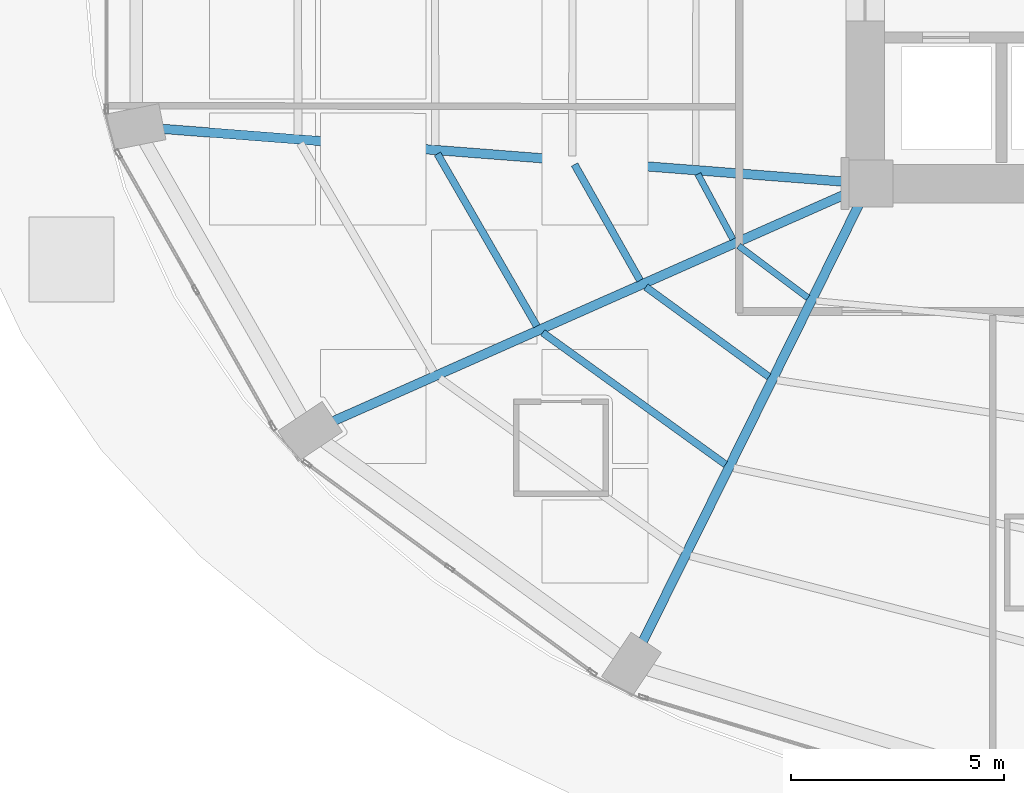
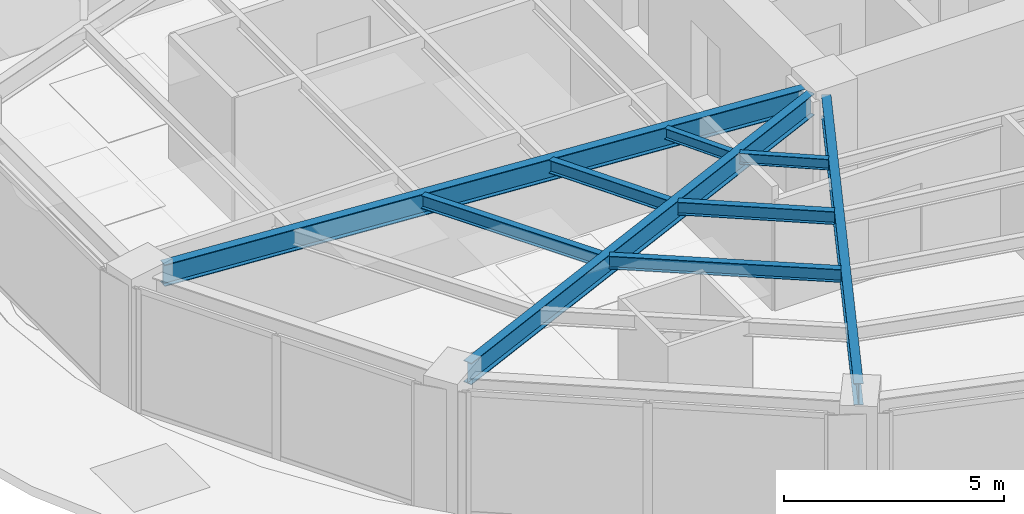
# One storey, part 4 of 25: 9 beams.
"""IFC4 building model written with IfcOpenShell, lengths in metres."""

from ifc_helpers import new_model, si_unit, direction, frame, origin, origin_2d, place, context, subcontext, project, spatial, i_section, extrude, material, material_profile, profile_set, type_object, element, save


model = new_model("IFC4")

# Units and contexts
model_context = context("Model", 3, precision=1e-05, world=origin(), true_north=direction((0.0, 1.0)))
body_context = subcontext(model_context, "Body", "Model", "MODEL_VIEW")
ifc_project = project(units=[si_unit("LENGTHUNIT", "METRE"), si_unit("AREAUNIT", "SQUARE_METRE"), si_unit("VOLUMEUNIT", "CUBIC_METRE"), si_unit("PLANEANGLEUNIT", "RADIAN"), si_unit("MASSUNIT", "GRAM", prefix="KILO")], contexts=[model_context])

# Site, building, storey
site_placement = place(None, origin())
site = spatial("IfcSite", under=ifc_project, at=site_placement, CompositionType="ELEMENT")
building_placement = place(site_placement, origin())
building = spatial("IfcBuilding", under=site, at=building_placement, Name="Lazwardi Medical Tower", CompositionType="ELEMENT")
storey_placement = place(building_placement, frame((0.0, 0.0, 25.199951171875)))
storey = spatial("IfcBuildingStorey", under=building, at=storey_placement, Name="L05", CompositionType="ELEMENT", Elevation=25.199951171875)

# Beams
ifc_material = material(Name="Steel S355", Category="steel")
ifc_material_profile_1 = material_profile(ifc_material, i_section(OverallWidth=0.219970703125, OverallDepth=0.60009765625, WebThickness=0.011962890625, FlangeThickness=0.01904296875, at=origin_2d()), Name="IPE 600")
ifc_profile_set_1 = profile_set([ifc_material_profile_1], Name="Steel S355")
beam_type_1 = type_object("IfcBeamType", Name="BM-RG-W1", PredefinedType="BEAM", material=ifc_profile_set_1)
beam_1_placement = place(storey_placement, frame((9.7783203125, 21.6875, 3.1279296875), z_axis=(0.997013942066, -0.077221754231, 0.0), x_axis=(0.077221754231, 0.997013942066, 0.0)))
element("IfcBeam", 1, at=beam_1_placement, inside=storey, type_object=beam_type_1, Name="Radial girder RG-02 R13 L05", PredefinedType="BEAM", context=body_context, shape_type="SweptSolid", body=[
    extrude(i_section(OverallWidth=0.219970703125, OverallDepth=0.60009765625, WebThickness=0.011962890625, FlangeThickness=0.01904296875, at=origin_2d()), origin(), (0.0, 0.0, 1.0), 16.136474609375),
])
beam_2_placement = place(storey_placement, frame((13.810302734375, 14.82080078125, 3.1279296875), z_axis=(0.914252189566, 0.405145571214, 0.0), x_axis=(-0.405145571214, 0.914252189566, 0.0)))
element("IfcBeam", 2, at=beam_2_placement, inside=storey, type_object=beam_type_1, Name="Radial girder RG-02 R14 L05", PredefinedType="BEAM", context=body_context, shape_type="SweptSolid", body=[
    extrude(i_section(OverallWidth=0.219970703125, OverallDepth=0.60009765625, WebThickness=0.011962890625, FlangeThickness=0.01904296875, at=origin_2d()), origin(), (0.0, 0.0, 1.0), 13.235595703125),
])
beam_3_placement = place(storey_placement, frame((21.076171875, 9.635986328125, 3.1279296875), z_axis=(0.443336723706, 0.896355146922, 0.0), x_axis=(-0.896355146922, 0.443336723706, 0.0)))
element("IfcBeam", 3, at=beam_3_placement, inside=storey, type_object=beam_type_1, Name="Radial girder RG-02 R15 L05", PredefinedType="BEAM", context=body_context, shape_type="SweptSolid", body=[
    extrude(i_section(OverallWidth=0.219970703125, OverallDepth=0.60009765625, WebThickness=0.011962890625, FlangeThickness=0.01904296875, at=origin_2d()), origin(), (0.0, 0.0, 1.0), 11.4736328125),
])
ifc_material_profile_2 = material_profile(ifc_material, i_section(OverallWidth=0.169921875, OverallDepth=0.360107421875, WebThickness=0.008056640625, FlangeThickness=0.0126953125, at=origin_2d()), Name="IPE 360")
ifc_profile_set_2 = profile_set([ifc_material_profile_2], Name="Steel S355")
beam_type_2 = type_object("IfcBeamType", Name="BM-SJ-02", PredefinedType="JOIST", material=ifc_profile_set_2)
beam_4_placement = place(storey_placement, frame((16.26611328125, 21.09814453125, 3.248046875), z_axis=(0.499785866494, -0.866148998529, 0.0), x_axis=(0.866148998529, 0.499785866494, 0.0)))
element("IfcBeam", 4, at=beam_4_placement, inside=storey, type_object=beam_type_2, Name="Secondary joist SJ-02 R2 B13 L05", PredefinedType="JOIST", context=body_context, shape_type="SweptSolid", body=[
    extrude(i_section(OverallWidth=0.169921875, OverallDepth=0.360107421875, WebThickness=0.008056640625, FlangeThickness=0.0126953125, at=origin_2d()), origin(), (0.0, 0.0, 1.0), 4.666015625),
])
beam_5_placement = place(storey_placement, frame((18.73583984375, 16.904296875, 3.248046875), z_axis=(0.811142764961, -0.584848198127, 0.0), x_axis=(0.584848198127, 0.811142764961, 0.0)))
element("IfcBeam", 5, at=beam_5_placement, inside=storey, type_object=beam_type_2, Name="Secondary joist SJ-02 R2 B14 L05", PredefinedType="JOIST", context=body_context, shape_type="SweptSolid", body=[
    extrude(i_section(OverallWidth=0.169921875, OverallDepth=0.360107421875, WebThickness=0.008056640625, FlangeThickness=0.0126953125, at=origin_2d()), origin(), (0.0, 0.0, 1.0), 5.28857421875),
])
beam_6_placement = place(storey_placement, frame((19.48291015625, 20.848388671875, 3.248046875), z_axis=(0.491923287977, -0.870638546554, 0.0), x_axis=(0.870638546554, 0.491923287977, 0.0)))
element("IfcBeam", 6, at=beam_6_placement, inside=storey, type_object=beam_type_2, Name="Secondary joist SJ-02 R3 B13 L05", PredefinedType="JOIST", context=body_context, shape_type="SweptSolid", body=[
    extrude(i_section(OverallWidth=0.169921875, OverallDepth=0.360107421875, WebThickness=0.008056640625, FlangeThickness=0.0126953125, at=origin_2d()), origin(), (0.0, 0.0, 1.0), 3.122802734375),
])
beam_7_placement = place(storey_placement, frame((21.155517578125, 17.976318359375, 3.248046875), z_axis=(0.80770129933, -0.589591902132, 0.0), x_axis=(0.589591902132, 0.80770129933, 0.0)))
element("IfcBeam", 7, at=beam_7_placement, inside=storey, type_object=beam_type_2, Name="Secondary joist SJ-02 R3 B14 L05", PredefinedType="JOIST", context=body_context, shape_type="SweptSolid", body=[
    extrude(i_section(OverallWidth=0.169921875, OverallDepth=0.360107421875, WebThickness=0.008056640625, FlangeThickness=0.0126953125, at=origin_2d()), origin(), (0.0, 0.0, 1.0), 3.5751953125),
])
ifc_material_profile_3 = material_profile(ifc_material, i_section(OverallWidth=0.14990234375, OverallDepth=0.300048828125, WebThickness=0.007080078125, FlangeThickness=0.0107421875, at=origin_2d()), Name="IPE 300")
ifc_profile_set_3 = profile_set([ifc_material_profile_3], Name="Steel S355")
beam_type_3 = type_object("IfcBeamType", Name="BM-SJ-03", PredefinedType="JOIST", material=ifc_profile_set_3)
beam_8_placement = place(storey_placement, frame((22.376953125, 20.623046875, 3.278076171875), z_axis=(0.473982292828, -0.880534375301, 0.0), x_axis=(0.880534375301, 0.473982292828, 0.0)))
element("IfcBeam", 8, at=beam_8_placement, inside=storey, type_object=beam_type_3, Name="Secondary joist SJ-03 R4 B13 L05", PredefinedType="JOIST", context=body_context, shape_type="SweptSolid", body=[
    extrude(i_section(OverallWidth=0.14990234375, OverallDepth=0.300048828125, WebThickness=0.007080078125, FlangeThickness=0.0107421875, at=origin_2d()), origin(), (0.0, 0.0, 1.0), 1.734375),
])
beam_9_placement = place(storey_placement, frame((23.332763671875, 18.9404296875, 3.278076171875), z_axis=(0.800115247939, -0.599846305328, 0.0), x_axis=(0.599846305328, 0.800115247939, 0.0)))
element("IfcBeam", 9, at=beam_9_placement, inside=storey, type_object=beam_type_3, Name="Secondary joist SJ-03 R4 B14 L05", PredefinedType="JOIST", context=body_context, shape_type="SweptSolid", body=[
    extrude(i_section(OverallWidth=0.14990234375, OverallDepth=0.300048828125, WebThickness=0.007080078125, FlangeThickness=0.0107421875, at=origin_2d()), origin(), (0.0, 0.0, 1.0), 2.033447265625),
])

save(model, "model.ifc")
